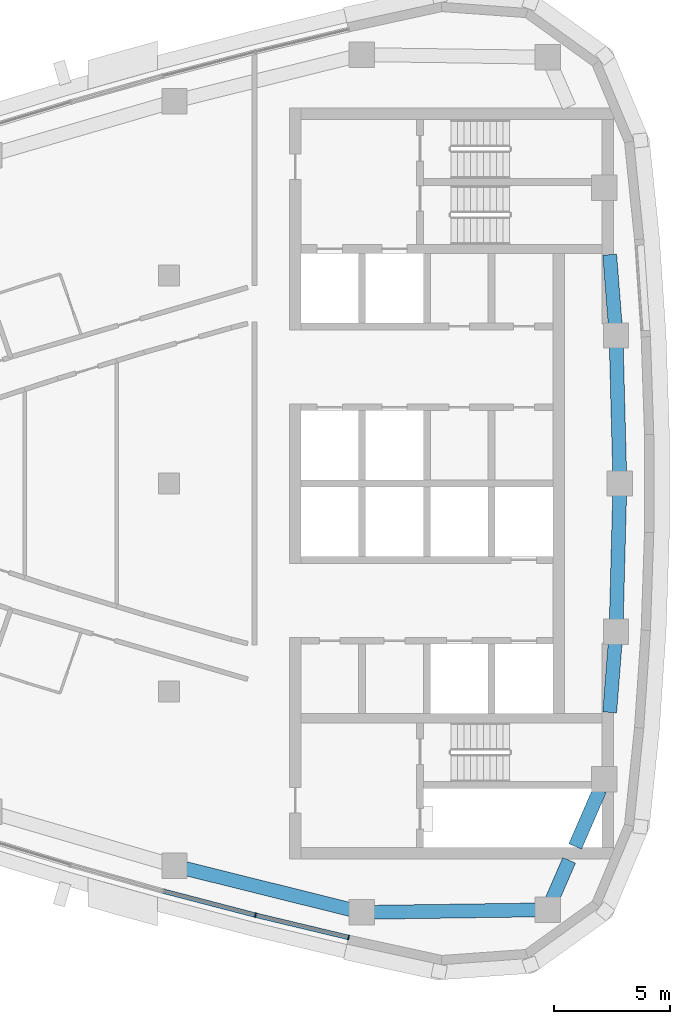
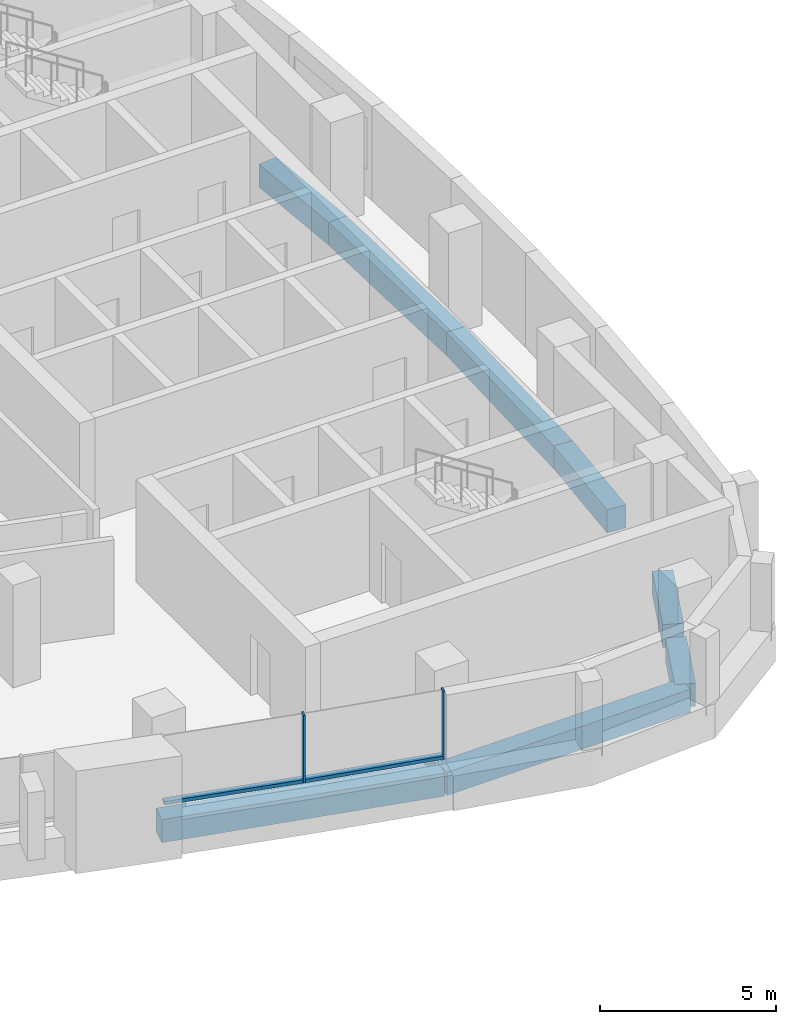
# One storey, part 4 of 13: 8 beams, 4 members, 1 element without a shape of its own.
"""IFC4 building model written with IfcOpenShell, lengths in metres."""

from ifc_helpers import new_model, si_unit, direction, frame, origin, origin_2d, place, context, subcontext, project, spatial, rectangle, extrude, material, layer, layer_set, material_profile, profile_set, type_object, element, aggregate, save


model = new_model("IFC4")

# Units and contexts
model_context = context("Model", 3, precision=1e-05, world=origin(), true_north=direction((0.0, 1.0)))
body_context = subcontext(model_context, "Body", "Model", "MODEL_VIEW")
ifc_project = project(units=[si_unit("LENGTHUNIT", "METRE"), si_unit("AREAUNIT", "SQUARE_METRE"), si_unit("VOLUMEUNIT", "CUBIC_METRE"), si_unit("PLANEANGLEUNIT", "RADIAN"), si_unit("MASSUNIT", "GRAM", prefix="KILO")], contexts=[model_context])

# Site, building, storey
site_placement = place(None, origin())
site = spatial("IfcSite", under=ifc_project, at=site_placement, CompositionType="ELEMENT")
building_placement = place(site_placement, origin())
building = spatial("IfcBuilding", under=site, at=building_placement, Name="Ostrand Prow Hotel Tower", CompositionType="ELEMENT")
storey_placement = place(building_placement, frame((0.0, 0.0, 282.10009765625)))
storey = spatial("IfcBuildingStorey", under=building, at=storey_placement, Name="L71", CompositionType="ELEMENT", Elevation=282.10009765625)

# Beams
ifc_material_1 = material(Name="Concrete C50/60", Category="concrete")
ifc_material_profile_1 = material_profile(ifc_material_1, rectangle(XDim=0.60009765625, YDim=0.800048828125, at=origin_2d()), Name="RC 600x800")
ifc_profile_set_1 = profile_set([ifc_material_profile_1], Name="Concrete C50/60")
beam_type = type_object("IfcBeamType", Name="Edge beam 600x800 C50/60", PredefinedType="SPANDREL", material=ifc_profile_set_1)
beam_1_placement = place(storey_placement, frame((45.234619140625, -16.53857421875, -0.7001953125), z_axis=(0.970456465292, -0.241276291775, 0.0), x_axis=(0.241276291775, 0.970456465292, 0.0)))
element("IfcBeam", 1, at=beam_1_placement, inside=storey, type_object=beam_type, Name="Edge beam S5-S6", PredefinedType="SPANDREL", context=body_context, shape_type="SweptSolid", body=[
    extrude(rectangle(XDim=0.60009765625, YDim=0.800048828125, at=origin_2d()), origin(), (0.0, 0.0, 1.0), 8.348876953125),
])
beam_2_placement = place(storey_placement, frame((53.3369140625, -18.552978515625, -0.7001953125), z_axis=(0.999900689486, 0.014092947356, 0.0), x_axis=(-0.014092947356, 0.999900689486, 0.0)))
element("IfcBeam", 2, at=beam_2_placement, inside=storey, type_object=beam_type, Name="Edge beam S6-SE", PredefinedType="SPANDREL", context=body_context, shape_type="SweptSolid", body=[
    extrude(rectangle(XDim=0.60009765625, YDim=0.800048828125, at=origin_2d()), origin(), (0.0, 0.0, 1.0), 8.0380859375),
])
beam_3_placement = place(storey_placement, frame((61.374267578125, -18.439697265625, -0.7001953125), z_axis=(0.398863844187, 0.91701016014, 0.0), x_axis=(-0.91701016014, 0.398863844187, 0.0)))
element("IfcBeam", 3, at=beam_3_placement, inside=storey, type_object=beam_type, Name="Edge beam SE-B1", PredefinedType="SPANDREL", context=body_context, shape_type="SweptSolid", body=[
    extrude(rectangle(XDim=0.60009765625, YDim=0.800048828125, at=origin_2d()), origin(), (0.0, 0.0, 1.0), 2.333251953125),
])
beam_4_placement = place(storey_placement, frame((62.56591796875, -15.699951171875, -0.7001953125), z_axis=(0.398799624102, 0.917038090712, 0.0), x_axis=(-0.917038090712, 0.398799624102, 0.0)))
element("IfcBeam", 4, at=beam_4_placement, inside=storey, type_object=beam_type, Name="Edge beam SE-B1", PredefinedType="SPANDREL", context=body_context, shape_type="SweptSolid", body=[
    extrude(rectangle(XDim=0.60009765625, YDim=0.800048828125, at=origin_2d()), origin(), (0.0, 0.0, 1.0), 2.671630859375),
])
beam_5_placement = place(storey_placement, frame((64.058349609375, -9.89990234375, -0.7001953125), z_axis=(0.078240080308, 0.996934546414, 0.0), x_axis=(-0.996934546414, 0.078240080308, 0.0)))
element("IfcBeam", 5, at=beam_5_placement, inside=storey, type_object=beam_type, Name="Edge beam B1-B2", PredefinedType="SPANDREL", context=body_context, shape_type="SweptSolid", body=[
    extrude(rectangle(XDim=0.60009765625, YDim=0.800048828125, at=origin_2d()), origin(), (0.0, 0.0, 1.0), 3.50732421875),
])
for number, where, z_axis, x_axis, name in (
    (6, (64.332763671875, -6.4033203125, -0.7001953125), (0.026108223987, 0.999659122221, 0.0), (-0.999659122221, 0.026108223987, 0.0), "Edge beam B2-B3"),
    (7, (64.5, 0.0, -0.7001953125), (-0.026108223987, 0.999659122221, 0.0), (-0.999659122221, -0.026108223987, 0.0), "Edge beam B3-B4"),
):
    element("IfcBeam", number, at=place(storey_placement, frame(where, z_axis=z_axis, x_axis=x_axis)), inside=storey, type_object=beam_type, Name=name, PredefinedType="SPANDREL", context=body_context, shape_type="SweptSolid", body=[
        extrude(rectangle(XDim=0.60009765625, YDim=0.800048828125, at=origin_2d()), origin(), (0.0, 0.0, 1.0), 6.405517578125),
    ])
beam_6_placement = place(storey_placement, frame((64.332763671875, 6.4033203125, -0.7001953125), z_axis=(-0.078240080308, 0.996934546414, 0.0), x_axis=(-0.996934546414, -0.078240080308, 0.0)))
element("IfcBeam", 8, at=beam_6_placement, inside=storey, type_object=beam_type, Name="Edge beam B4-B5", PredefinedType="SPANDREL", context=body_context, shape_type="SweptSolid", body=[
    extrude(rectangle(XDim=0.60009765625, YDim=0.800048828125, at=origin_2d()), origin(), (0.0, 0.0, 1.0), 3.50732421875),
])

# Curtain wall, members
ifc_material_2 = material(Name="Insulated glass in bronze anodised frame", Category="glass")
ifc_layer = layer(ifc_material_2, 0.199951171875)
ifc_layer_set = layer_set([ifc_layer], Name="Insulated glass in bronze anodised frame")
curtain_wall_type = type_object("IfcCurtainWallType", Name="Strip curtain wall, fritted glass over bronze spandrel", PredefinedType="NOTDEFINED", material=ifc_layer_set)
curtain_wall_placement = place(storey_placement, origin())
curtain_wall = element("IfcCurtainWall", 9, at=curtain_wall_placement, inside=storey, type_object=curtain_wall_type, Name="CW1 run CWS5", PredefinedType="NOTDEFINED")
ifc_material_3 = material(Name="Bronze anodised aluminium", Category="aluminium")
ifc_material_profile_2 = material_profile(ifc_material_3, rectangle(XDim=0.199951171875, YDim=0.06005859375, at=origin_2d()), Name="Mullion 60x200 bronze anodised aluminium")
ifc_profile_set_2 = profile_set([ifc_material_profile_2], Name="Bronze anodised aluminium")
member_type_1 = type_object("IfcMemberType", Name="Mullion 60x200 bronze anodised aluminium", PredefinedType="MULLION", material=ifc_profile_set_2)
member_1_placement = place(storey_placement, frame((48.734619140625, -18.6708984375, 0.89990234375), z_axis=(0.0, 0.0, 1.0), x_axis=(0.232746096028, 0.972537533869, 0.0)))
member_1 = element("IfcMember", 10, at=member_1_placement, type_object=member_type_1, Name="CW1 mullion 2", PredefinedType="MULLION", context=body_context, shape_type="SweptSolid", body=[
    extrude(rectangle(XDim=0.199951171875, YDim=0.06005859375, at=origin_2d()), origin(), (0.0, 0.0, 1.0), 2.35009765625),
])
member_2_placement = place(storey_placement, frame((52.7607421875, -19.634521484375, 0.89990234375), z_axis=(0.0, 0.0, 1.0), x_axis=(0.232746096028, 0.972537533869, 0.0)))
member_2 = element("IfcMember", 11, at=member_2_placement, type_object=member_type_1, Name="CW1 mullion 3", PredefinedType="MULLION", context=body_context, shape_type="SweptSolid", body=[
    extrude(rectangle(XDim=0.199951171875, YDim=0.06005859375, at=origin_2d()), origin(), (0.0, 0.0, 1.0), 2.35009765625),
])
ifc_material_4 = material(Name="Bronze anodised aluminium", Category="aluminium")
ifc_material_profile_3 = material_profile(ifc_material_4, rectangle(XDim=0.199951171875, YDim=0.1201171875, at=origin_2d()), Name="Transom 120x200 bronze anodised aluminium")
ifc_profile_set_3 = profile_set([ifc_material_profile_3], Name="Bronze anodised aluminium")
member_type_2 = type_object("IfcMemberType", Name="Transom 120x200 bronze anodised aluminium", PredefinedType="USERDEFINED", material=ifc_profile_set_3)
member_3_placement = place(storey_placement, frame((44.7578125, -17.63427734375, 0.9599609375), z_axis=(0.967664917891, -0.252239185461, 0.0), x_axis=(0.252239185461, 0.967664917891, 0.0)))
member_3 = element("IfcMember", 12, at=member_3_placement, type_object=member_type_2, Name="CW1 transom 1.1", ObjectType="TRANSOM", PredefinedType="USERDEFINED", context=body_context, shape_type="SweptSolid", body=[
    extrude(rectangle(XDim=0.199951171875, YDim=0.1201171875, at=origin_2d()), origin(), (0.0, 0.0, 1.0), 4.07958984375),
])
member_4_placement = place(storey_placement, frame((48.763671875, -18.677978515625, 0.9599609375), z_axis=(0.972542980558, -0.232723335675, 0.0), x_axis=(0.232723335675, 0.972542980558, 0.0)))
member_4 = element("IfcMember", 13, at=member_4_placement, type_object=member_type_2, Name="CW1 transom 2.1", ObjectType="TRANSOM", PredefinedType="USERDEFINED", context=body_context, shape_type="SweptSolid", body=[
    extrude(rectangle(XDim=0.199951171875, YDim=0.1201171875, at=origin_2d()), origin(), (0.0, 0.0, 1.0), 4.079833984375),
])
aggregate(curtain_wall, [member_1, member_2, member_3, member_4])

save(model, "model.ifc")
